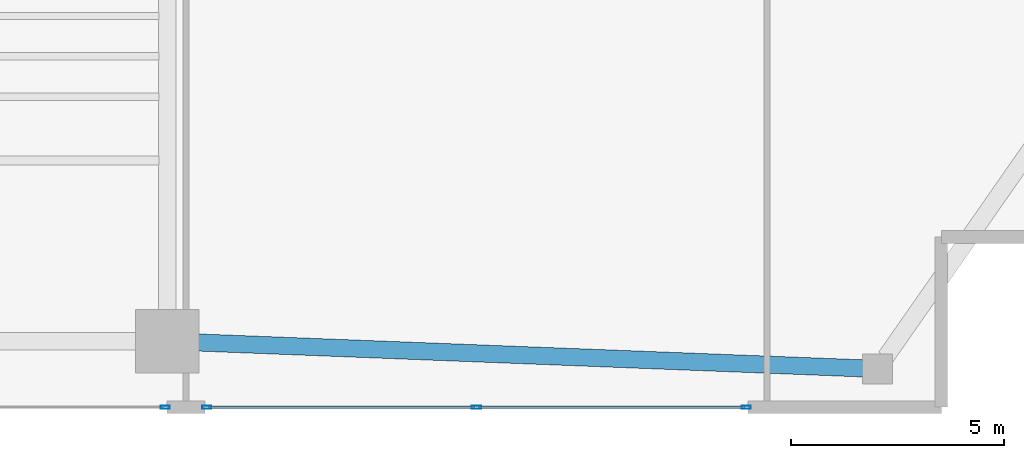
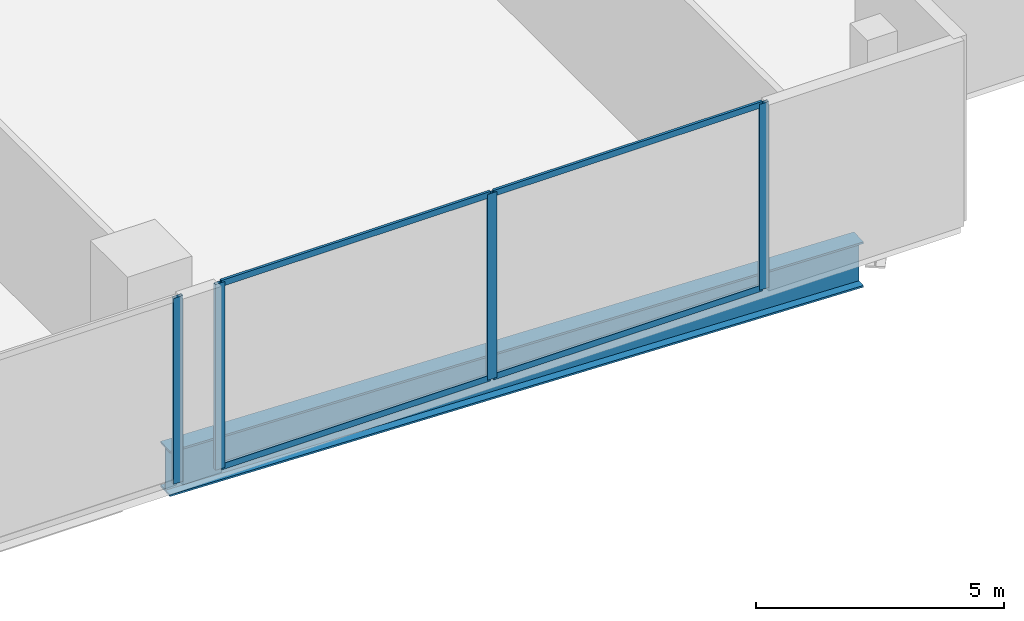
# One storey, part 10 of 28: 8 members, 1 beam, 2 elements without a shape of their own.
"""IFC4 building model written with IfcOpenShell, lengths in metres."""

from ifc_helpers import new_model, si_unit, direction, frame, origin, origin_2d, place, context, subcontext, project, spatial, hollow_rectangle, i_section, extrude, material, layer, layer_set, material_profile, profile_set, type_object, element, aggregate, save


model = new_model("IFC4")

# Units and contexts
model_context = context("Model", 3, precision=1e-05, world=origin(), true_north=direction((0.0, 1.0)))
body_context = subcontext(model_context, "Body", "Model", "MODEL_VIEW")
ifc_project = project(units=[si_unit("LENGTHUNIT", "METRE"), si_unit("AREAUNIT", "SQUARE_METRE"), si_unit("VOLUMEUNIT", "CUBIC_METRE"), si_unit("PLANEANGLEUNIT", "RADIAN"), si_unit("MASSUNIT", "GRAM", prefix="KILO")], contexts=[model_context])

# Site, building, storey
site_placement = place(None, origin())
site = spatial("IfcSite", under=ifc_project, at=site_placement, CompositionType="ELEMENT")
building_placement = place(site_placement, origin())
building = spatial("IfcBuilding", under=site, at=building_placement, Name="Zuhayl Quay Hotel", CompositionType="ELEMENT")
storey_placement = place(building_placement, frame((0.0, 0.0, 22.800048828125)))
storey = spatial("IfcBuildingStorey", under=building, at=storey_placement, Name="L04", CompositionType="ELEMENT", Elevation=22.800048828125)

# Beam
ifc_material_1 = material(Name="Steel ASTM A913 Grade 65", Category="steel")
ifc_material_profile_1 = material_profile(ifc_material_1, i_section(OverallWidth=0.404052734375, OverallDepth=1.117919921875, WebThickness=0.026123046875, FlangeThickness=0.044921875, at=origin_2d()), Name="W44X335")
ifc_profile_set_1 = profile_set([ifc_material_profile_1], Name="Steel ASTM A913 Grade 65")
beam_type = type_object("IfcBeamType", Name="BM_TG1_W44X335", PredefinedType="BEAM", material=ifc_profile_set_1)
beam_placement = place(storey_placement, frame((14.349609375, -22.471435546875, -0.819091796875), z_axis=(0.999243175194, -0.038898288239, 0.0), x_axis=(0.038898288239, 0.999243175194, 0.0)))
element("IfcBeam", 1, at=beam_placement, inside=storey, type_object=beam_type, Name="L04 Floor Beam PG_S_L04_4", PredefinedType="BEAM", context=body_context, shape_type="SweptSolid", body=[
    extrude(i_section(OverallWidth=0.404052734375, OverallDepth=1.117919921875, WebThickness=0.026123046875, FlangeThickness=0.044921875, at=origin_2d()), origin(), (0.0, 0.0, 1.0), 15.82275390625),
])

# Curtain wall, members
ifc_material_2 = material(Name="Anodised Aluminium 6063-T6", Category="aluminium")
ifc_layer = layer(ifc_material_2, 0.199951171875, Name="Anodised Aluminium 6063-T6", Category="aluminium")
ifc_layer_set = layer_set([ifc_layer], Name="Anodised Aluminium 6063-T6")
curtain_wall_type = type_object("IfcCurtainWallType", Name="CW_SYS_POD", PredefinedType="USERDEFINED", material=ifc_layer_set)
curtain_wall_1_placement = place(storey_placement, origin())
curtain_wall_1 = element("IfcCurtainWall", 2, at=curtain_wall_1_placement, inside=storey, type_object=curtain_wall_type, Name="L04 Curtain Wall ENV_L04_E11_CW1", ObjectType="UNITISED CURTAIN WALL", PredefinedType="USERDEFINED")
ifc_material_3 = material(Name="Black-anodised aluminium 6063-T6", Category="aluminium")
ifc_material_profile_2 = material_profile(ifc_material_3, hollow_rectangle(XDim=0.074951171875, YDim=0.219970703125, WallThickness=0.00390625, at=origin_2d()), Name="ALU220X75")
ifc_profile_set_2 = profile_set([ifc_material_profile_2], Name="Black-anodised aluminium 6063-T6")
member_type_1 = type_object("IfcMemberType", Name="MB_CW_MUL_220", PredefinedType="MULLION", material=ifc_profile_set_2)
member_1_placement = place(storey_placement, frame((27.41259765625, -24.0, 0.0), z_axis=(0.0, 0.0, 1.0), x_axis=(0.0, -1.0, 0.0)))
member_1 = element("IfcMember", 3, at=member_1_placement, type_object=member_type_1, Name="CW-POD mullion 1", PredefinedType="MULLION", context=body_context, shape_type="SweptSolid", body=[
    extrude(hollow_rectangle(XDim=0.074951171875, YDim=0.219970703125, WallThickness=0.00390625, at=origin_2d()), origin(), (0.0, 0.0, 1.0), 4.579833984375),
])
member_2_placement = place(storey_placement, frame((21.070068359375, -24.0, 0.0), z_axis=(0.0, 0.0, 1.0), x_axis=(0.0, -1.0, 0.0)))
member_2 = element("IfcMember", 4, at=member_2_placement, type_object=member_type_1, Name="CW-POD mullion 2", PredefinedType="MULLION", context=body_context, shape_type="SweptSolid", body=[
    extrude(hollow_rectangle(XDim=0.074951171875, YDim=0.219970703125, WallThickness=0.00390625, at=origin_2d()), origin(), (0.0, 0.0, 1.0), 4.579833984375),
])
member_3_placement = place(storey_placement, frame((14.7275390625, -24.0, 0.0), z_axis=(0.0, 0.0, 1.0), x_axis=(0.0, -1.0, 0.0)))
member_3 = element("IfcMember", 5, at=member_3_placement, type_object=member_type_1, Name="CW-POD mullion 3", PredefinedType="MULLION", context=body_context, shape_type="SweptSolid", body=[
    extrude(hollow_rectangle(XDim=0.074951171875, YDim=0.219970703125, WallThickness=0.00390625, at=origin_2d()), origin(), (0.0, 0.0, 1.0), 4.579833984375),
])

# Curtain wall, member
curtain_wall_2_placement = place(storey_placement, origin())
curtain_wall_2 = element("IfcCurtainWall", 6, at=curtain_wall_2_placement, inside=storey, type_object=curtain_wall_type, Name="L04 Curtain Wall ENV_L04_E11_CW2", ObjectType="UNITISED CURTAIN WALL", PredefinedType="USERDEFINED")
member_4_placement = place(storey_placement, frame((13.75244140625, -24.0, 0.0), z_axis=(0.0, 0.0, 1.0), x_axis=(0.0, -1.0, 0.0)))
member_4 = element("IfcMember", 7, at=member_4_placement, type_object=member_type_1, Name="CW-POD mullion 1", PredefinedType="MULLION", context=body_context, shape_type="SweptSolid", body=[
    extrude(hollow_rectangle(XDim=0.074951171875, YDim=0.219970703125, WallThickness=0.00390625, at=origin_2d()), origin(), (0.0, 0.0, 1.0), 4.579833984375),
])
aggregate(curtain_wall_2, [member_4])

# Member
ifc_material_profile_3 = material_profile(ifc_material_3, hollow_rectangle(XDim=0.06005859375, YDim=0.14990234375, WallThickness=0.00341796875, at=origin_2d()), Name="ALU150X60")
ifc_profile_set_3 = profile_set([ifc_material_profile_3], Name="Black-anodised aluminium 6063-T6")
member_type_2 = type_object("IfcMemberType", Name="MB_CW_TRN_150", PredefinedType="USERDEFINED", material=ifc_profile_set_3)
member_5_placement = place(storey_placement, frame((27.375, -24.0, 0.030029296875), z_axis=(-1.0, 0.0, 0.0), x_axis=(0.0, -1.0, 0.0)))
member_5 = element("IfcMember", 8, at=member_5_placement, type_object=member_type_2, Name="CW-POD transom 1.1", ObjectType="TRANSOM", PredefinedType="USERDEFINED", context=body_context, shape_type="SweptSolid", body=[
    extrude(hollow_rectangle(XDim=0.06005859375, YDim=0.14990234375, WallThickness=0.00341796875, at=origin_2d()), origin(), (0.0, 0.0, 1.0), 6.267578125),
])

member_6_placement = place(storey_placement, frame((27.375, -24.0, 4.550048828125), z_axis=(-1.0, 0.0, 0.0), x_axis=(0.0, -1.0, 0.0)))
member_6 = element("IfcMember", 9, at=member_6_placement, type_object=member_type_2, Name="CW-POD transom 1.2", ObjectType="TRANSOM", PredefinedType="USERDEFINED", context=body_context, shape_type="SweptSolid", body=[
    extrude(hollow_rectangle(XDim=0.06005859375, YDim=0.14990234375, WallThickness=0.00341796875, at=origin_2d()), origin(), (0.0, 0.0, 1.0), 6.267578125),
])

member_7_placement = place(storey_placement, frame((21.032470703125, -24.0, 0.030029296875), z_axis=(-1.0, 0.0, 0.0), x_axis=(0.0, -1.0, 0.0)))
member_7 = element("IfcMember", 10, at=member_7_placement, type_object=member_type_2, Name="CW-POD transom 2.1", ObjectType="TRANSOM", PredefinedType="USERDEFINED", context=body_context, shape_type="SweptSolid", body=[
    extrude(hollow_rectangle(XDim=0.06005859375, YDim=0.14990234375, WallThickness=0.00341796875, at=origin_2d()), origin(), (0.0, 0.0, 1.0), 6.267578125),
])

member_8_placement = place(storey_placement, frame((21.032470703125, -24.0, 4.550048828125), z_axis=(-1.0, 0.0, 0.0), x_axis=(0.0, -1.0, 0.0)))
member_8 = element("IfcMember", 11, at=member_8_placement, type_object=member_type_2, Name="CW-POD transom 2.2", ObjectType="TRANSOM", PredefinedType="USERDEFINED", context=body_context, shape_type="SweptSolid", body=[
    extrude(hollow_rectangle(XDim=0.06005859375, YDim=0.14990234375, WallThickness=0.00341796875, at=origin_2d()), origin(), (0.0, 0.0, 1.0), 6.267578125),
])

aggregate(curtain_wall_1, [member_1, member_2, member_3, member_5, member_6, member_7, member_8])

save(model, "model.ifc")
